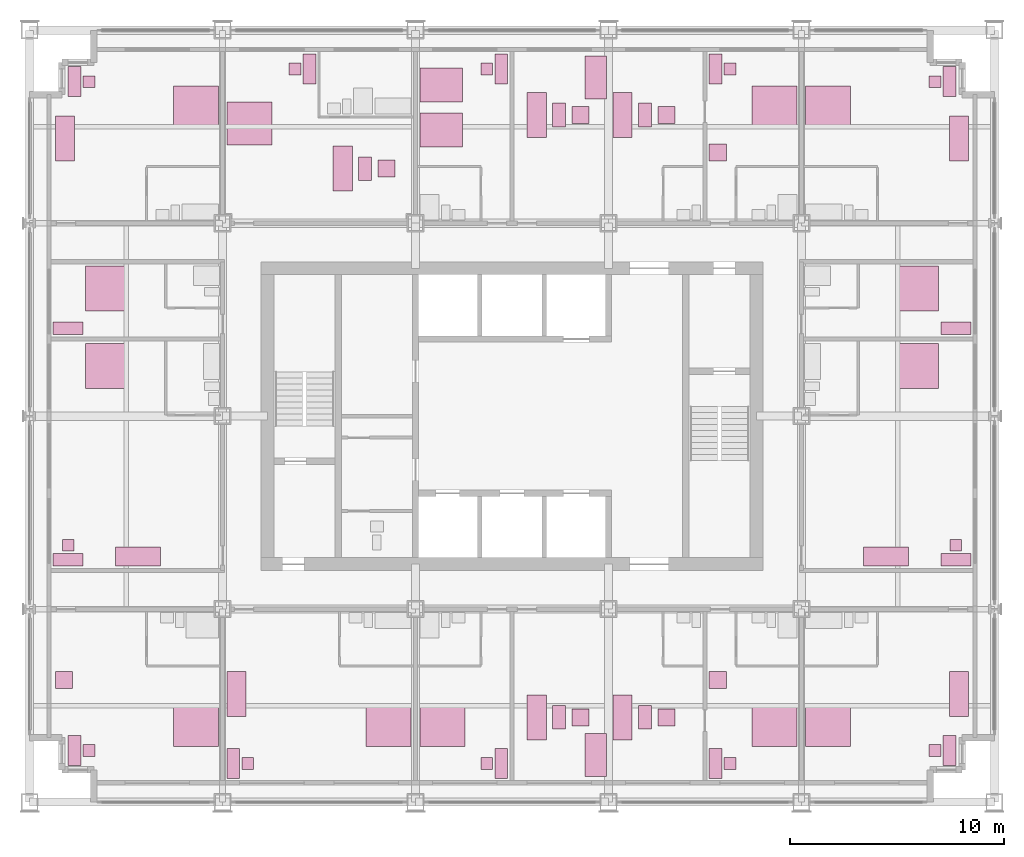
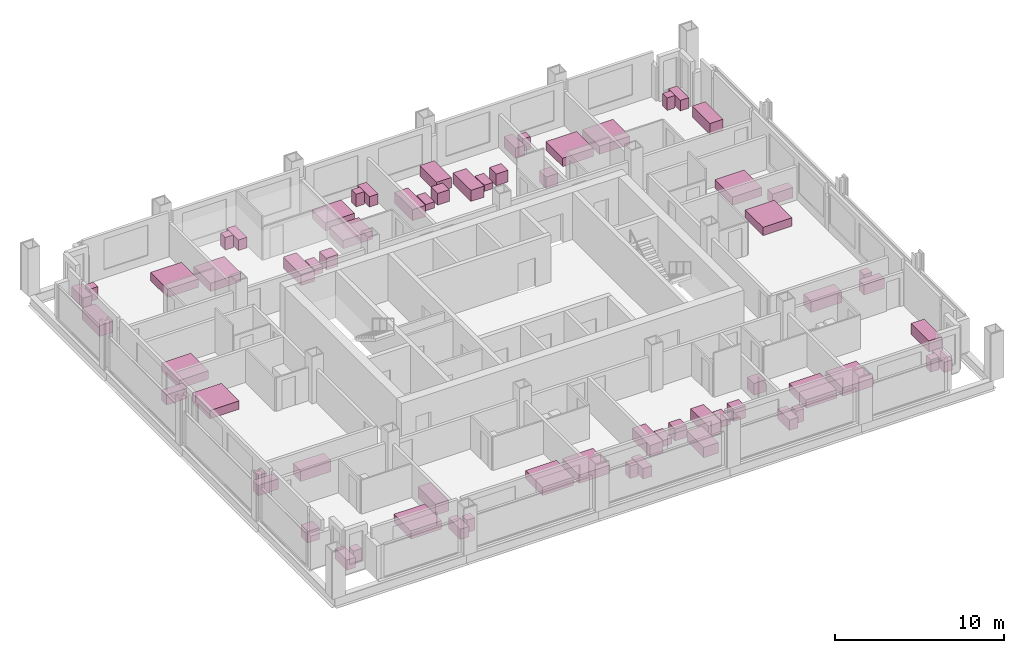
# One storey, part 16 of 16: 67 furniture elements.
"""IFC4 building model written with IfcOpenShell, lengths in metres."""

from ifc_helpers import new_model, si_unit, direction, frame, origin, origin_2d, place, context, subcontext, project, spatial, rectangle, extrude, element, save


model = new_model("IFC4")

# Units and contexts
model_context = context("Model", 3, precision=1e-05, world=origin(), true_north=direction((0.0, 1.0)))
body_context = subcontext(model_context, "Body", "Model", "MODEL_VIEW")
ifc_project = project(units=[si_unit("LENGTHUNIT", "METRE"), si_unit("AREAUNIT", "SQUARE_METRE"), si_unit("VOLUMEUNIT", "CUBIC_METRE"), si_unit("PLANEANGLEUNIT", "RADIAN"), si_unit("MASSUNIT", "GRAM", prefix="KILO")], contexts=[model_context])

# Site, building, storey
site_placement = place(None, origin())
site = spatial("IfcSite", under=ifc_project, at=site_placement, CompositionType="ELEMENT")
building_placement = place(site_placement, origin())
building = spatial("IfcBuilding", under=site, at=building_placement, Name="Loomwork Tower", CompositionType="ELEMENT")
storey_placement = place(building_placement, frame((0.0, 0.0, 148.60009765625)))
storey = spatial("IfcBuildingStorey", under=building, at=storey_placement, Name="L40", CompositionType="ELEMENT", Elevation=148.60009765625)

# Furniture
furniture_1_placement = place(storey_placement, frame((7.75, 3.60009765625, -0.000244140625), z_axis=(0.0, 0.0, 1.0), x_axis=(1.0, 0.0, 0.0)))
element("IfcFurniture", 1, at=furniture_1_placement, inside=storey, Name="King bed L40", PredefinedType="BED", context=body_context, shape_type="SweptSolid", body=[
    extrude(rectangle(XDim=2.10009765625, YDim=2.0, at=origin_2d()), origin(), (0.0, 0.0, 1.0), 0.60009765625),
])
furniture_2_placement = place(storey_placement, frame((2.10009765625, 2.39990234375, 0.0), z_axis=(0.0, 0.0, 1.0), x_axis=(1.0, 0.0, 0.0)))
element("IfcFurniture", 2, at=furniture_2_placement, inside=storey, Name="Writing desk L40", PredefinedType="DESK", context=body_context, shape_type="SweptSolid", body=[
    extrude(rectangle(XDim=0.60009765625, YDim=1.39990234375, at=origin_2d()), origin(), (0.0, 0.0, 1.0), 0.75),
])
furniture_3_placement = place(storey_placement, frame((2.77490234375, 2.39990234375, 0.0), z_axis=(0.0, 0.0, 1.0), x_axis=(1.0, 0.0, 0.0)))
element("IfcFurniture", 3, at=furniture_3_placement, inside=storey, Name="Desk chair L40", PredefinedType="CHAIR", context=body_context, shape_type="SweptSolid", body=[
    extrude(rectangle(XDim=0.550048828125, YDim=0.550048828125, at=origin_2d()), origin(), (0.0, 0.0, 1.0), 0.89990234375),
])
furniture_4_placement = place(storey_placement, frame((1.60009765625, 5.699951171875, -0.000244140625), z_axis=(0.0, 0.0, 1.0), x_axis=(1.0, 0.0, 0.0)))
element("IfcFurniture", 4, at=furniture_4_placement, inside=storey, Name="Lounge armchair L40", PredefinedType="CHAIR", context=body_context, shape_type="SweptSolid", body=[
    extrude(rectangle(XDim=0.800048828125, YDim=0.800048828125, at=origin_2d()), origin(), (0.0, 0.0, 1.0), 0.85009765625),
])
furniture_5_placement = place(storey_placement, frame((16.75, 3.60009765625, -0.000244140625), z_axis=(0.0, 0.0, 1.0), x_axis=(1.0, 0.0, 0.0)))
element("IfcFurniture", 5, at=furniture_5_placement, inside=storey, Name="King bed L40", PredefinedType="BED", context=body_context, shape_type="SweptSolid", body=[
    extrude(rectangle(XDim=2.10009765625, YDim=2.0, at=origin_2d()), origin(), (0.0, 0.0, 1.0), 0.60009765625),
])
furniture_6_placement = place(storey_placement, frame((9.5, 1.800048828125, 0.0), z_axis=(0.0, 0.0, 1.0), x_axis=(1.0, 0.0, 0.0)))
element("IfcFurniture", 6, at=furniture_6_placement, inside=storey, Name="Writing desk L40", PredefinedType="DESK", context=body_context, shape_type="SweptSolid", body=[
    extrude(rectangle(XDim=0.60009765625, YDim=1.39990234375, at=origin_2d()), origin(), (0.0, 0.0, 1.0), 0.75),
])
furniture_7_placement = place(storey_placement, frame((10.175048828125, 1.800048828125, 0.0), z_axis=(0.0, 0.0, 1.0), x_axis=(1.0, 0.0, 0.0)))
element("IfcFurniture", 7, at=furniture_7_placement, inside=storey, Name="Desk chair L40", PredefinedType="CHAIR", context=body_context, shape_type="SweptSolid", body=[
    extrude(rectangle(XDim=0.550048828125, YDim=0.550048828125, at=origin_2d()), origin(), (0.0, 0.0, 1.0), 0.89990234375),
])
furniture_8_placement = place(storey_placement, frame((9.64990234375, 5.050048828125, 0.0), z_axis=(0.0, 0.0, 1.0), x_axis=(1.0, 0.0, 0.0)))
element("IfcFurniture", 8, at=furniture_8_placement, inside=storey, Name="Sofa L40", PredefinedType="SOFA", context=body_context, shape_type="SweptSolid", body=[
    extrude(rectangle(XDim=0.89990234375, YDim=2.10009765625, at=origin_2d()), origin(), (0.0, 0.0, 1.0), 0.800048828125),
])
furniture_9_placement = place(storey_placement, frame((19.25, 3.60009765625, -0.000244140625), z_axis=(0.0, 0.0, 1.0), x_axis=(1.0, 0.0, 0.0)))
element("IfcFurniture", 9, at=furniture_9_placement, inside=storey, Name="King bed L40", PredefinedType="BED", context=body_context, shape_type="SweptSolid", body=[
    extrude(rectangle(XDim=2.10009765625, YDim=2.0, at=origin_2d()), origin(), (0.0, 0.0, 1.0), 0.60009765625),
])
furniture_10_placement = place(storey_placement, frame((22.0, 1.800048828125, 0.0), z_axis=(0.0, 0.0, 1.0), x_axis=(1.0, 0.0, 0.0)))
element("IfcFurniture", 10, at=furniture_10_placement, inside=storey, Name="Writing desk L40", PredefinedType="DESK", context=body_context, shape_type="SweptSolid", body=[
    extrude(rectangle(XDim=0.60009765625, YDim=1.39990234375, at=origin_2d()), origin(), (0.0, 0.0, 1.0), 0.75),
])
furniture_11_placement = place(storey_placement, frame((21.324951171875, 1.800048828125, 0.0), z_axis=(0.0, 0.0, 1.0), x_axis=(1.0, 0.0, 0.0)))
element("IfcFurniture", 11, at=furniture_11_placement, inside=storey, Name="Desk chair L40", PredefinedType="CHAIR", context=body_context, shape_type="SweptSolid", body=[
    extrude(rectangle(XDim=0.550048828125, YDim=0.550048828125, at=origin_2d()), origin(), (0.0, 0.0, 1.0), 0.89990234375),
])
furniture_12_placement = place(storey_placement, frame((23.64990234375, 3.949951171875, 0.0), z_axis=(0.0, 0.0, 1.0), x_axis=(1.0, 0.0, 0.0)))
element("IfcFurniture", 12, at=furniture_12_placement, inside=storey, Name="Sofa L40", PredefinedType="SOFA", context=body_context, shape_type="SweptSolid", body=[
    extrude(rectangle(XDim=0.89990234375, YDim=2.10009765625, at=origin_2d()), origin(), (0.0, 0.0, 1.0), 0.800048828125),
])
furniture_13_placement = place(storey_placement, frame((24.699951171875, 3.949951171875, 0.0), z_axis=(0.0, 0.0, 1.0), x_axis=(1.0, 0.0, 0.0)))
element("IfcFurniture", 13, at=furniture_13_placement, inside=storey, Name="Coffee table L40", PredefinedType="TABLE", context=body_context, shape_type="SweptSolid", body=[
    extrude(rectangle(XDim=0.60009765625, YDim=1.10009765625, at=origin_2d()), origin(), (0.0, 0.0, 1.0), 0.449951171875),
])
furniture_14_placement = place(storey_placement, frame((25.699951171875, 3.949951171875, -0.000244140625), z_axis=(0.0, 0.0, 1.0), x_axis=(1.0, 0.0, 0.0)))
element("IfcFurniture", 14, at=furniture_14_placement, inside=storey, Name="Lounge armchair L40", PredefinedType="CHAIR", context=body_context, shape_type="SweptSolid", body=[
    extrude(rectangle(XDim=0.800048828125, YDim=0.800048828125, at=origin_2d()), origin(), (0.0, 0.0, 1.0), 0.85009765625),
])
furniture_15_placement = place(storey_placement, frame((27.64990234375, 3.949951171875, 0.0), z_axis=(0.0, 0.0, 1.0), x_axis=(1.0, 0.0, 0.0)))
element("IfcFurniture", 15, at=furniture_15_placement, inside=storey, Name="Sofa L40", PredefinedType="SOFA", context=body_context, shape_type="SweptSolid", body=[
    extrude(rectangle(XDim=0.89990234375, YDim=2.10009765625, at=origin_2d()), origin(), (0.0, 0.0, 1.0), 0.800048828125),
])
furniture_16_placement = place(storey_placement, frame((28.699951171875, 3.949951171875, 0.0), z_axis=(0.0, 0.0, 1.0), x_axis=(1.0, 0.0, 0.0)))
element("IfcFurniture", 16, at=furniture_16_placement, inside=storey, Name="Coffee table L40", PredefinedType="TABLE", context=body_context, shape_type="SweptSolid", body=[
    extrude(rectangle(XDim=0.60009765625, YDim=1.10009765625, at=origin_2d()), origin(), (0.0, 0.0, 1.0), 0.449951171875),
])
furniture_17_placement = place(storey_placement, frame((29.699951171875, 3.949951171875, -0.000244140625), z_axis=(0.0, 0.0, 1.0), x_axis=(1.0, 0.0, 0.0)))
element("IfcFurniture", 17, at=furniture_17_placement, inside=storey, Name="Lounge armchair L40", PredefinedType="CHAIR", context=body_context, shape_type="SweptSolid", body=[
    extrude(rectangle(XDim=0.800048828125, YDim=0.800048828125, at=origin_2d()), origin(), (0.0, 0.0, 1.0), 0.85009765625),
])
furniture_18_placement = place(storey_placement, frame((26.39990234375, 2.199951171875, 0.0), z_axis=(0.0, 0.0, 1.0), x_axis=(1.0, 0.0, 0.0)))
element("IfcFurniture", 18, at=furniture_18_placement, inside=storey, Name="Dining table L40", PredefinedType="TABLE", context=body_context, shape_type="SweptSolid", body=[
    extrude(rectangle(XDim=1.0, YDim=2.0, at=origin_2d()), origin(), (0.0, 0.0, 1.0), 0.75),
])
furniture_19_placement = place(storey_placement, frame((34.75, 3.60009765625, -0.000244140625), z_axis=(0.0, 0.0, 1.0), x_axis=(1.0, 0.0, 0.0)))
element("IfcFurniture", 19, at=furniture_19_placement, inside=storey, Name="King bed L40", PredefinedType="BED", context=body_context, shape_type="SweptSolid", body=[
    extrude(rectangle(XDim=2.10009765625, YDim=2.0, at=origin_2d()), origin(), (0.0, 0.0, 1.0), 0.60009765625),
])
furniture_20_placement = place(storey_placement, frame((32.0, 1.800048828125, 0.0), z_axis=(0.0, 0.0, 1.0), x_axis=(1.0, 0.0, 0.0)))
element("IfcFurniture", 20, at=furniture_20_placement, inside=storey, Name="Writing desk L40", PredefinedType="DESK", context=body_context, shape_type="SweptSolid", body=[
    extrude(rectangle(XDim=0.60009765625, YDim=1.39990234375, at=origin_2d()), origin(), (0.0, 0.0, 1.0), 0.75),
])
furniture_21_placement = place(storey_placement, frame((32.675048828125, 1.800048828125, 0.0), z_axis=(0.0, 0.0, 1.0), x_axis=(1.0, 0.0, 0.0)))
element("IfcFurniture", 21, at=furniture_21_placement, inside=storey, Name="Desk chair L40", PredefinedType="CHAIR", context=body_context, shape_type="SweptSolid", body=[
    extrude(rectangle(XDim=0.550048828125, YDim=0.550048828125, at=origin_2d()), origin(), (0.0, 0.0, 1.0), 0.89990234375),
])
furniture_22_placement = place(storey_placement, frame((32.10009765625, 5.699951171875, -0.000244140625), z_axis=(0.0, 0.0, 1.0), x_axis=(1.0, 0.0, 0.0)))
element("IfcFurniture", 22, at=furniture_22_placement, inside=storey, Name="Lounge armchair L40", PredefinedType="CHAIR", context=body_context, shape_type="SweptSolid", body=[
    extrude(rectangle(XDim=0.800048828125, YDim=0.800048828125, at=origin_2d()), origin(), (0.0, 0.0, 1.0), 0.85009765625),
])
furniture_23_placement = place(storey_placement, frame((37.25, 3.60009765625, -0.000244140625), z_axis=(0.0, 0.0, 1.0), x_axis=(1.0, 0.0, 0.0)))
element("IfcFurniture", 23, at=furniture_23_placement, inside=storey, Name="King bed L40", PredefinedType="BED", context=body_context, shape_type="SweptSolid", body=[
    extrude(rectangle(XDim=2.10009765625, YDim=2.0, at=origin_2d()), origin(), (0.0, 0.0, 1.0), 0.60009765625),
])
furniture_24_placement = place(storey_placement, frame((42.89990234375, 2.39990234375, 0.0), z_axis=(0.0, 0.0, 1.0), x_axis=(1.0, 0.0, 0.0)))
element("IfcFurniture", 24, at=furniture_24_placement, inside=storey, Name="Writing desk L40", PredefinedType="DESK", context=body_context, shape_type="SweptSolid", body=[
    extrude(rectangle(XDim=0.60009765625, YDim=1.39990234375, at=origin_2d()), origin(), (0.0, 0.0, 1.0), 0.75),
])
furniture_25_placement = place(storey_placement, frame((42.22509765625, 2.39990234375, 0.0), z_axis=(0.0, 0.0, 1.0), x_axis=(1.0, 0.0, 0.0)))
element("IfcFurniture", 25, at=furniture_25_placement, inside=storey, Name="Desk chair L40", PredefinedType="CHAIR", context=body_context, shape_type="SweptSolid", body=[
    extrude(rectangle(XDim=0.550048828125, YDim=0.550048828125, at=origin_2d()), origin(), (0.0, 0.0, 1.0), 0.89990234375),
])
furniture_26_placement = place(storey_placement, frame((43.35009765625, 5.050048828125, 0.0), z_axis=(0.0, 0.0, 1.0), x_axis=(1.0, 0.0, 0.0)))
element("IfcFurniture", 26, at=furniture_26_placement, inside=storey, Name="Sofa L40", PredefinedType="SOFA", context=body_context, shape_type="SweptSolid", body=[
    extrude(rectangle(XDim=0.89990234375, YDim=2.10009765625, at=origin_2d()), origin(), (0.0, 0.0, 1.0), 0.800048828125),
])
furniture_27_placement = place(storey_placement, frame((7.75, 32.39990234375, -0.000244140625), z_axis=(0.0, 0.0, 1.0), x_axis=(1.0, 0.0, 0.0)))
element("IfcFurniture", 27, at=furniture_27_placement, inside=storey, Name="King bed L40", PredefinedType="BED", context=body_context, shape_type="SweptSolid", body=[
    extrude(rectangle(XDim=2.10009765625, YDim=2.0, at=origin_2d()), origin(), (0.0, 0.0, 1.0), 0.60009765625),
])
furniture_28_placement = place(storey_placement, frame((2.10009765625, 33.60009765625, 0.0), z_axis=(0.0, 0.0, 1.0), x_axis=(1.0, 0.0, 0.0)))
element("IfcFurniture", 28, at=furniture_28_placement, inside=storey, Name="Writing desk L40", PredefinedType="DESK", context=body_context, shape_type="SweptSolid", body=[
    extrude(rectangle(XDim=0.60009765625, YDim=1.39990234375, at=origin_2d()), origin(), (0.0, 0.0, 1.0), 0.75),
])
furniture_29_placement = place(storey_placement, frame((2.77490234375, 33.60009765625, 0.0), z_axis=(0.0, 0.0, 1.0), x_axis=(1.0, 0.0, 0.0)))
element("IfcFurniture", 29, at=furniture_29_placement, inside=storey, Name="Desk chair L40", PredefinedType="CHAIR", context=body_context, shape_type="SweptSolid", body=[
    extrude(rectangle(XDim=0.550048828125, YDim=0.550048828125, at=origin_2d()), origin(), (0.0, 0.0, 1.0), 0.89990234375),
])
furniture_30_placement = place(storey_placement, frame((1.64990234375, 30.949951171875, 0.0), z_axis=(0.0, 0.0, 1.0), x_axis=(1.0, 0.0, 0.0)))
element("IfcFurniture", 30, at=furniture_30_placement, inside=storey, Name="Sofa L40", PredefinedType="SOFA", context=body_context, shape_type="SweptSolid", body=[
    extrude(rectangle(XDim=0.89990234375, YDim=2.10009765625, at=origin_2d()), origin(), (0.0, 0.0, 1.0), 0.800048828125),
])
furniture_31_placement = place(storey_placement, frame((10.25, 31.64990234375, -0.000244140625), z_axis=(0.0, 0.0, 1.0), x_axis=(1.0, 0.0, 0.0)))
element("IfcFurniture", 31, at=furniture_31_placement, inside=storey, Name="King bed L40", PredefinedType="BED", context=body_context, shape_type="SweptSolid", body=[
    extrude(rectangle(XDim=2.10009765625, YDim=2.0, at=origin_2d()), origin(), (0.0, 0.0, 1.0), 0.60009765625),
])
furniture_32_placement = place(storey_placement, frame((13.050048828125, 34.199951171875, 0.0), z_axis=(0.0, 0.0, 1.0), x_axis=(1.0, 0.0, 0.0)))
element("IfcFurniture", 32, at=furniture_32_placement, inside=storey, Name="Writing desk L40", PredefinedType="DESK", context=body_context, shape_type="SweptSolid", body=[
    extrude(rectangle(XDim=0.60009765625, YDim=1.39990234375, at=origin_2d()), origin(), (0.0, 0.0, 1.0), 0.75),
])
furniture_33_placement = place(storey_placement, frame((12.375, 34.199951171875, 0.0), z_axis=(0.0, 0.0, 1.0), x_axis=(1.0, 0.0, 0.0)))
element("IfcFurniture", 33, at=furniture_33_placement, inside=storey, Name="Desk chair L40", PredefinedType="CHAIR", context=body_context, shape_type="SweptSolid", body=[
    extrude(rectangle(XDim=0.550048828125, YDim=0.550048828125, at=origin_2d()), origin(), (0.0, 0.0, 1.0), 0.89990234375),
])
furniture_34_placement = place(storey_placement, frame((14.60009765625, 29.550048828125, 0.0), z_axis=(0.0, 0.0, 1.0), x_axis=(1.0, 0.0, 0.0)))
element("IfcFurniture", 34, at=furniture_34_placement, inside=storey, Name="Sofa L40", PredefinedType="SOFA", context=body_context, shape_type="SweptSolid", body=[
    extrude(rectangle(XDim=0.89990234375, YDim=2.10009765625, at=origin_2d()), origin(), (0.0, 0.0, 1.0), 0.800048828125),
])
furniture_35_placement = place(storey_placement, frame((15.64990234375, 29.550048828125, 0.0), z_axis=(0.0, 0.0, 1.0), x_axis=(1.0, 0.0, 0.0)))
element("IfcFurniture", 35, at=furniture_35_placement, inside=storey, Name="Coffee table L40", PredefinedType="TABLE", context=body_context, shape_type="SweptSolid", body=[
    extrude(rectangle(XDim=0.60009765625, YDim=1.10009765625, at=origin_2d()), origin(), (0.0, 0.0, 1.0), 0.449951171875),
])
furniture_36_placement = place(storey_placement, frame((16.64990234375, 29.550048828125, -0.000244140625), z_axis=(0.0, 0.0, 1.0), x_axis=(1.0, 0.0, 0.0)))
element("IfcFurniture", 36, at=furniture_36_placement, inside=storey, Name="Lounge armchair L40", PredefinedType="CHAIR", context=body_context, shape_type="SweptSolid", body=[
    extrude(rectangle(XDim=0.800048828125, YDim=0.800048828125, at=origin_2d()), origin(), (0.0, 0.0, 1.0), 0.85009765625),
])
for number, where, z_axis, x_axis, name in (
    (37, (19.199951171875, 31.35009765625, -0.000244140625), (0.0, 0.0, 1.0), (1.0, 0.0, 0.0), "Queen bed L40"),
    (38, (19.199951171875, 33.449951171875, -0.000244140625), (0.0, 0.0, 1.0), (1.0, 0.0, 0.0), "Queen bed L40"),
):
    element("IfcFurniture", number, at=place(storey_placement, frame(where, z_axis=z_axis, x_axis=x_axis)), inside=storey, Name=name, PredefinedType="BED", context=body_context, shape_type="SweptSolid", body=[
        extrude(rectangle(XDim=2.0, YDim=1.60009765625, at=origin_2d()), origin(), (0.0, 0.0, 1.0), 0.60009765625),
    ])
furniture_37_placement = place(storey_placement, frame((22.0, 34.199951171875, 0.0), z_axis=(0.0, 0.0, 1.0), x_axis=(1.0, 0.0, 0.0)))
element("IfcFurniture", 39, at=furniture_37_placement, inside=storey, Name="Writing desk L40", PredefinedType="DESK", context=body_context, shape_type="SweptSolid", body=[
    extrude(rectangle(XDim=0.60009765625, YDim=1.39990234375, at=origin_2d()), origin(), (0.0, 0.0, 1.0), 0.75),
])
furniture_38_placement = place(storey_placement, frame((21.324951171875, 34.199951171875, 0.0), z_axis=(0.0, 0.0, 1.0), x_axis=(1.0, 0.0, 0.0)))
element("IfcFurniture", 40, at=furniture_38_placement, inside=storey, Name="Desk chair L40", PredefinedType="CHAIR", context=body_context, shape_type="SweptSolid", body=[
    extrude(rectangle(XDim=0.550048828125, YDim=0.550048828125, at=origin_2d()), origin(), (0.0, 0.0, 1.0), 0.89990234375),
])
furniture_39_placement = place(storey_placement, frame((23.64990234375, 32.050048828125, 0.0), z_axis=(0.0, 0.0, 1.0), x_axis=(1.0, 0.0, 0.0)))
element("IfcFurniture", 41, at=furniture_39_placement, inside=storey, Name="Sofa L40", PredefinedType="SOFA", context=body_context, shape_type="SweptSolid", body=[
    extrude(rectangle(XDim=0.89990234375, YDim=2.10009765625, at=origin_2d()), origin(), (0.0, 0.0, 1.0), 0.800048828125),
])
furniture_40_placement = place(storey_placement, frame((24.699951171875, 32.050048828125, 0.0), z_axis=(0.0, 0.0, 1.0), x_axis=(1.0, 0.0, 0.0)))
element("IfcFurniture", 42, at=furniture_40_placement, inside=storey, Name="Coffee table L40", PredefinedType="TABLE", context=body_context, shape_type="SweptSolid", body=[
    extrude(rectangle(XDim=0.60009765625, YDim=1.10009765625, at=origin_2d()), origin(), (0.0, 0.0, 1.0), 0.449951171875),
])
furniture_41_placement = place(storey_placement, frame((25.699951171875, 32.050048828125, -0.000244140625), z_axis=(0.0, 0.0, 1.0), x_axis=(1.0, 0.0, 0.0)))
element("IfcFurniture", 43, at=furniture_41_placement, inside=storey, Name="Lounge armchair L40", PredefinedType="CHAIR", context=body_context, shape_type="SweptSolid", body=[
    extrude(rectangle(XDim=0.800048828125, YDim=0.800048828125, at=origin_2d()), origin(), (0.0, 0.0, 1.0), 0.85009765625),
])
furniture_42_placement = place(storey_placement, frame((27.64990234375, 32.050048828125, 0.0), z_axis=(0.0, 0.0, 1.0), x_axis=(1.0, 0.0, 0.0)))
element("IfcFurniture", 44, at=furniture_42_placement, inside=storey, Name="Sofa L40", PredefinedType="SOFA", context=body_context, shape_type="SweptSolid", body=[
    extrude(rectangle(XDim=0.89990234375, YDim=2.10009765625, at=origin_2d()), origin(), (0.0, 0.0, 1.0), 0.800048828125),
])
furniture_43_placement = place(storey_placement, frame((28.699951171875, 32.050048828125, 0.0), z_axis=(0.0, 0.0, 1.0), x_axis=(1.0, 0.0, 0.0)))
element("IfcFurniture", 45, at=furniture_43_placement, inside=storey, Name="Coffee table L40", PredefinedType="TABLE", context=body_context, shape_type="SweptSolid", body=[
    extrude(rectangle(XDim=0.60009765625, YDim=1.10009765625, at=origin_2d()), origin(), (0.0, 0.0, 1.0), 0.449951171875),
])
furniture_44_placement = place(storey_placement, frame((29.699951171875, 32.050048828125, -0.000244140625), z_axis=(0.0, 0.0, 1.0), x_axis=(1.0, 0.0, 0.0)))
element("IfcFurniture", 46, at=furniture_44_placement, inside=storey, Name="Lounge armchair L40", PredefinedType="CHAIR", context=body_context, shape_type="SweptSolid", body=[
    extrude(rectangle(XDim=0.800048828125, YDim=0.800048828125, at=origin_2d()), origin(), (0.0, 0.0, 1.0), 0.85009765625),
])
furniture_45_placement = place(storey_placement, frame((26.39990234375, 33.800048828125, 0.0), z_axis=(0.0, 0.0, 1.0), x_axis=(1.0, 0.0, 0.0)))
element("IfcFurniture", 47, at=furniture_45_placement, inside=storey, Name="Dining table L40", PredefinedType="TABLE", context=body_context, shape_type="SweptSolid", body=[
    extrude(rectangle(XDim=1.0, YDim=2.0, at=origin_2d()), origin(), (0.0, 0.0, 1.0), 0.75),
])
furniture_46_placement = place(storey_placement, frame((34.75, 32.39990234375, -0.000244140625), z_axis=(0.0, 0.0, 1.0), x_axis=(1.0, 0.0, 0.0)))
element("IfcFurniture", 48, at=furniture_46_placement, inside=storey, Name="King bed L40", PredefinedType="BED", context=body_context, shape_type="SweptSolid", body=[
    extrude(rectangle(XDim=2.10009765625, YDim=2.0, at=origin_2d()), origin(), (0.0, 0.0, 1.0), 0.60009765625),
])
furniture_47_placement = place(storey_placement, frame((32.0, 34.199951171875, 0.0), z_axis=(0.0, 0.0, 1.0), x_axis=(1.0, 0.0, 0.0)))
element("IfcFurniture", 49, at=furniture_47_placement, inside=storey, Name="Writing desk L40", PredefinedType="DESK", context=body_context, shape_type="SweptSolid", body=[
    extrude(rectangle(XDim=0.60009765625, YDim=1.39990234375, at=origin_2d()), origin(), (0.0, 0.0, 1.0), 0.75),
])
furniture_48_placement = place(storey_placement, frame((32.675048828125, 34.199951171875, 0.0), z_axis=(0.0, 0.0, 1.0), x_axis=(1.0, 0.0, 0.0)))
element("IfcFurniture", 50, at=furniture_48_placement, inside=storey, Name="Desk chair L40", PredefinedType="CHAIR", context=body_context, shape_type="SweptSolid", body=[
    extrude(rectangle(XDim=0.550048828125, YDim=0.550048828125, at=origin_2d()), origin(), (0.0, 0.0, 1.0), 0.89990234375),
])
furniture_49_placement = place(storey_placement, frame((32.10009765625, 30.300048828125, -0.000244140625), z_axis=(0.0, 0.0, 1.0), x_axis=(1.0, 0.0, 0.0)))
element("IfcFurniture", 51, at=furniture_49_placement, inside=storey, Name="Lounge armchair L40", PredefinedType="CHAIR", context=body_context, shape_type="SweptSolid", body=[
    extrude(rectangle(XDim=0.800048828125, YDim=0.800048828125, at=origin_2d()), origin(), (0.0, 0.0, 1.0), 0.85009765625),
])
furniture_50_placement = place(storey_placement, frame((37.25, 32.39990234375, -0.000244140625), z_axis=(0.0, 0.0, 1.0), x_axis=(1.0, 0.0, 0.0)))
element("IfcFurniture", 52, at=furniture_50_placement, inside=storey, Name="King bed L40", PredefinedType="BED", context=body_context, shape_type="SweptSolid", body=[
    extrude(rectangle(XDim=2.10009765625, YDim=2.0, at=origin_2d()), origin(), (0.0, 0.0, 1.0), 0.60009765625),
])
furniture_51_placement = place(storey_placement, frame((42.89990234375, 33.60009765625, 0.0), z_axis=(0.0, 0.0, 1.0), x_axis=(1.0, 0.0, 0.0)))
element("IfcFurniture", 53, at=furniture_51_placement, inside=storey, Name="Writing desk L40", PredefinedType="DESK", context=body_context, shape_type="SweptSolid", body=[
    extrude(rectangle(XDim=0.60009765625, YDim=1.39990234375, at=origin_2d()), origin(), (0.0, 0.0, 1.0), 0.75),
])
furniture_52_placement = place(storey_placement, frame((42.22509765625, 33.60009765625, 0.0), z_axis=(0.0, 0.0, 1.0), x_axis=(1.0, 0.0, 0.0)))
element("IfcFurniture", 54, at=furniture_52_placement, inside=storey, Name="Desk chair L40", PredefinedType="CHAIR", context=body_context, shape_type="SweptSolid", body=[
    extrude(rectangle(XDim=0.550048828125, YDim=0.550048828125, at=origin_2d()), origin(), (0.0, 0.0, 1.0), 0.89990234375),
])
furniture_53_placement = place(storey_placement, frame((43.35009765625, 30.949951171875, 0.0), z_axis=(0.0, 0.0, 1.0), x_axis=(1.0, 0.0, 0.0)))
element("IfcFurniture", 55, at=furniture_53_placement, inside=storey, Name="Sofa L40", PredefinedType="SOFA", context=body_context, shape_type="SweptSolid", body=[
    extrude(rectangle(XDim=0.89990234375, YDim=2.10009765625, at=origin_2d()), origin(), (0.0, 0.0, 1.0), 0.800048828125),
])
furniture_54_placement = place(storey_placement, frame((3.60009765625, 20.35009765625, -0.000244140625), z_axis=(0.0, 0.0, 1.0), x_axis=(1.0, 0.0, 0.0)))
element("IfcFurniture", 56, at=furniture_54_placement, inside=storey, Name="King bed L40", PredefinedType="BED", context=body_context, shape_type="SweptSolid", body=[
    extrude(rectangle(XDim=2.0, YDim=2.10009765625, at=origin_2d()), origin(), (0.0, 0.0, 1.0), 0.60009765625),
])
furniture_55_placement = place(storey_placement, frame((1.800048828125, 11.300048828125, 0.0), z_axis=(0.0, 0.0, 1.0), x_axis=(1.0, 0.0, 0.0)))
element("IfcFurniture", 57, at=furniture_55_placement, inside=storey, Name="Writing desk L40", PredefinedType="DESK", context=body_context, shape_type="SweptSolid", body=[
    extrude(rectangle(XDim=1.39990234375, YDim=0.60009765625, at=origin_2d()), origin(), (0.0, 0.0, 1.0), 0.75),
])
furniture_56_placement = place(storey_placement, frame((1.800048828125, 11.97509765625, 0.0), z_axis=(0.0, 0.0, 1.0), x_axis=(1.0, 0.0, 0.0)))
element("IfcFurniture", 58, at=furniture_56_placement, inside=storey, Name="Desk chair L40", PredefinedType="CHAIR", context=body_context, shape_type="SweptSolid", body=[
    extrude(rectangle(XDim=0.550048828125, YDim=0.550048828125, at=origin_2d()), origin(), (0.0, 0.0, 1.0), 0.89990234375),
])
furniture_57_placement = place(storey_placement, frame((5.050048828125, 11.449951171875, 0.0), z_axis=(0.0, 0.0, 1.0), x_axis=(1.0, 0.0, 0.0)))
element("IfcFurniture", 59, at=furniture_57_placement, inside=storey, Name="Sofa L40", PredefinedType="SOFA", context=body_context, shape_type="SweptSolid", body=[
    extrude(rectangle(XDim=2.10009765625, YDim=0.89990234375, at=origin_2d()), origin(), (0.0, 0.0, 1.0), 0.800048828125),
])
furniture_58_placement = place(storey_placement, frame((3.60009765625, 23.949951171875, -0.000244140625), z_axis=(0.0, 0.0, 1.0), x_axis=(1.0, 0.0, 0.0)))
element("IfcFurniture", 60, at=furniture_58_placement, inside=storey, Name="King bed L40", PredefinedType="BED", context=body_context, shape_type="SweptSolid", body=[
    extrude(rectangle(XDim=2.0, YDim=2.10009765625, at=origin_2d()), origin(), (0.0, 0.0, 1.0), 0.60009765625),
])
furniture_59_placement = place(storey_placement, frame((1.800048828125, 22.10009765625, 0.0), z_axis=(0.0, 0.0, 1.0), x_axis=(1.0, 0.0, 0.0)))
element("IfcFurniture", 61, at=furniture_59_placement, inside=storey, Name="Writing desk L40", PredefinedType="DESK", context=body_context, shape_type="SweptSolid", body=[
    extrude(rectangle(XDim=1.39990234375, YDim=0.60009765625, at=origin_2d()), origin(), (0.0, 0.0, 1.0), 0.75),
])
furniture_60_placement = place(storey_placement, frame((41.39990234375, 20.35009765625, -0.000244140625), z_axis=(0.0, 0.0, 1.0), x_axis=(1.0, 0.0, 0.0)))
element("IfcFurniture", 62, at=furniture_60_placement, inside=storey, Name="King bed L40", PredefinedType="BED", context=body_context, shape_type="SweptSolid", body=[
    extrude(rectangle(XDim=2.0, YDim=2.10009765625, at=origin_2d()), origin(), (0.0, 0.0, 1.0), 0.60009765625),
])
furniture_61_placement = place(storey_placement, frame((43.199951171875, 11.300048828125, 0.0), z_axis=(0.0, 0.0, 1.0), x_axis=(1.0, 0.0, 0.0)))
element("IfcFurniture", 63, at=furniture_61_placement, inside=storey, Name="Writing desk L40", PredefinedType="DESK", context=body_context, shape_type="SweptSolid", body=[
    extrude(rectangle(XDim=1.39990234375, YDim=0.60009765625, at=origin_2d()), origin(), (0.0, 0.0, 1.0), 0.75),
])
furniture_62_placement = place(storey_placement, frame((43.199951171875, 11.97509765625, 0.0), z_axis=(0.0, 0.0, 1.0), x_axis=(1.0, 0.0, 0.0)))
element("IfcFurniture", 64, at=furniture_62_placement, inside=storey, Name="Desk chair L40", PredefinedType="CHAIR", context=body_context, shape_type="SweptSolid", body=[
    extrude(rectangle(XDim=0.550048828125, YDim=0.550048828125, at=origin_2d()), origin(), (0.0, 0.0, 1.0), 0.89990234375),
])
furniture_63_placement = place(storey_placement, frame((39.949951171875, 11.449951171875, 0.0), z_axis=(0.0, 0.0, 1.0), x_axis=(1.0, 0.0, 0.0)))
element("IfcFurniture", 65, at=furniture_63_placement, inside=storey, Name="Sofa L40", PredefinedType="SOFA", context=body_context, shape_type="SweptSolid", body=[
    extrude(rectangle(XDim=2.10009765625, YDim=0.89990234375, at=origin_2d()), origin(), (0.0, 0.0, 1.0), 0.800048828125),
])
furniture_64_placement = place(storey_placement, frame((41.39990234375, 23.949951171875, -0.000244140625), z_axis=(0.0, 0.0, 1.0), x_axis=(1.0, 0.0, 0.0)))
element("IfcFurniture", 66, at=furniture_64_placement, inside=storey, Name="King bed L40", PredefinedType="BED", context=body_context, shape_type="SweptSolid", body=[
    extrude(rectangle(XDim=2.0, YDim=2.10009765625, at=origin_2d()), origin(), (0.0, 0.0, 1.0), 0.60009765625),
])
furniture_65_placement = place(storey_placement, frame((43.199951171875, 22.10009765625, 0.0), z_axis=(0.0, 0.0, 1.0), x_axis=(1.0, 0.0, 0.0)))
element("IfcFurniture", 67, at=furniture_65_placement, inside=storey, Name="Writing desk L40", PredefinedType="DESK", context=body_context, shape_type="SweptSolid", body=[
    extrude(rectangle(XDim=1.39990234375, YDim=0.60009765625, at=origin_2d()), origin(), (0.0, 0.0, 1.0), 0.75),
])

save(model, "model.ifc")
